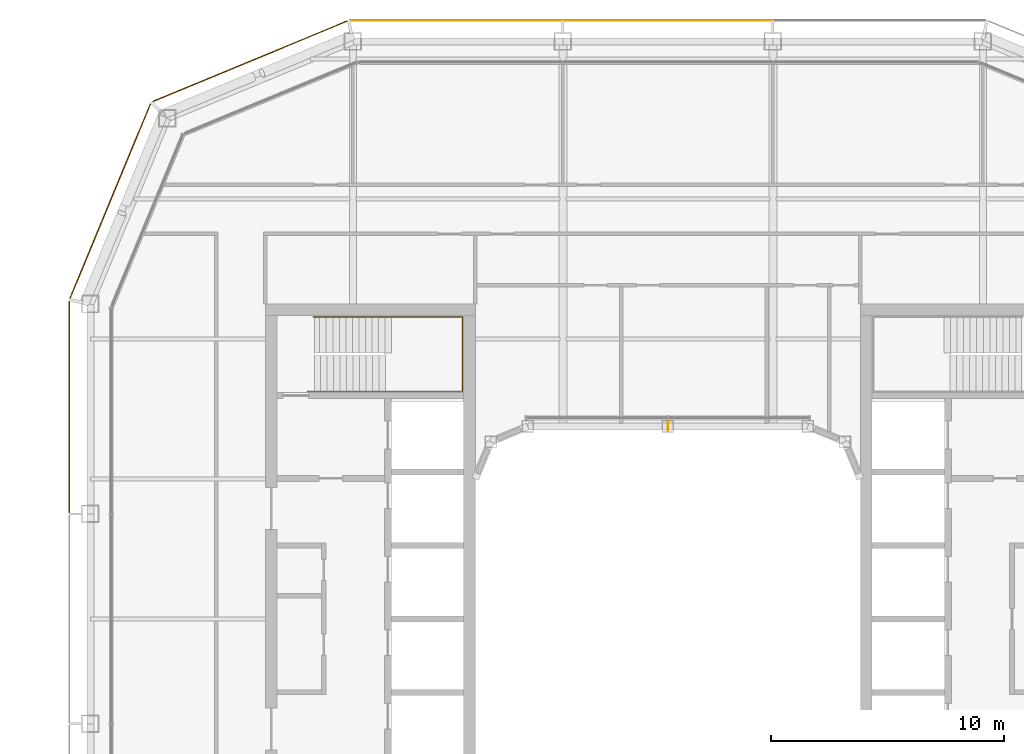
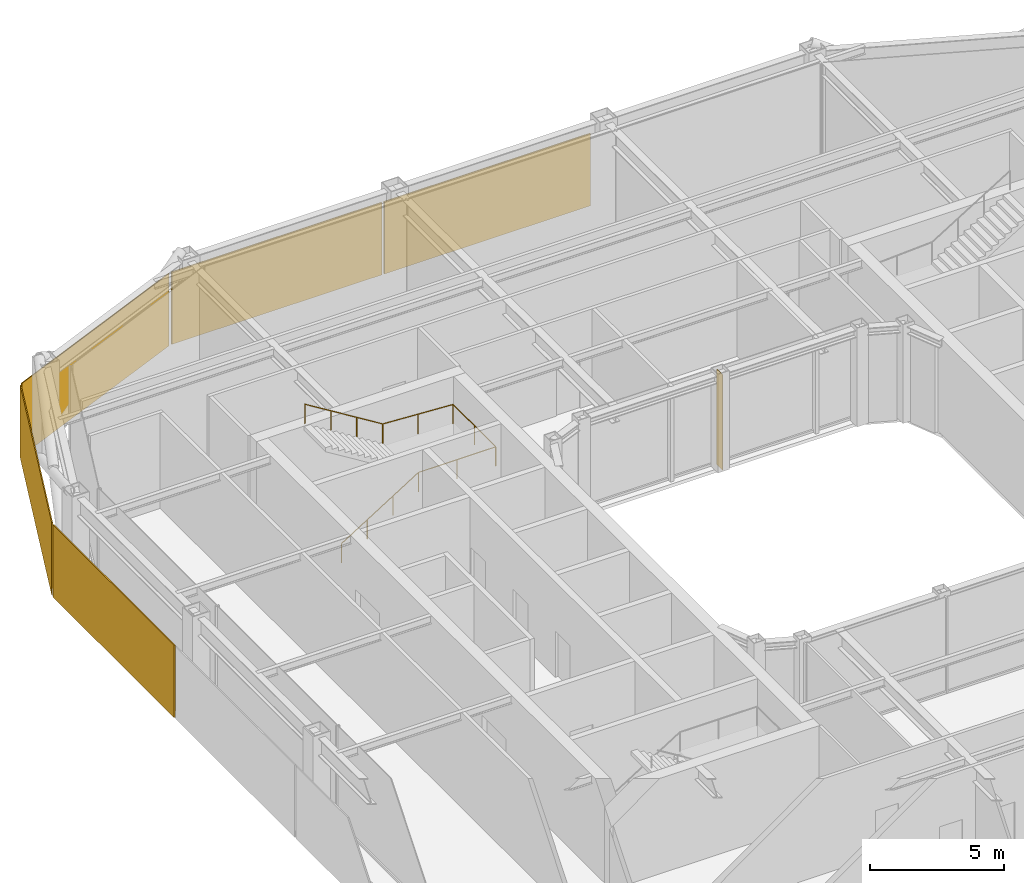
# One storey, part 18 of 20: 5 coverings, 1 railing, 1 shading device.
"""IFC4 building model written with IfcOpenShell, lengths in metres."""

from ifc_helpers import new_model, si_unit, direction, frame, origin, origin_2d, place, context, subcontext, project, spatial, rectangle, circle, extrude, material, layer, layer_set, type_object, element, save


model = new_model("IFC4")

# Units and contexts
model_context = context("Model", 3, precision=1e-05, world=origin(), true_north=direction((0.0, 1.0)))
body_context = subcontext(model_context, "Body", "Model", "MODEL_VIEW")
ifc_project = project(units=[si_unit("LENGTHUNIT", "METRE"), si_unit("AREAUNIT", "SQUARE_METRE"), si_unit("VOLUMEUNIT", "CUBIC_METRE"), si_unit("PLANEANGLEUNIT", "RADIAN"), si_unit("MASSUNIT", "GRAM", prefix="KILO")], contexts=[model_context])

# Site, building, storey
site_placement = place(None, origin())
site = spatial("IfcSite", under=ifc_project, at=site_placement, CompositionType="ELEMENT")
building_placement = place(site_placement, origin())
building = spatial("IfcBuilding", under=site, at=building_placement, Name="Siwar Civic Tower", CompositionType="ELEMENT")
storey_placement = place(building_placement, frame((0.0, 0.0, 298.699951171875)))
storey = spatial("IfcBuildingStorey", under=building, at=storey_placement, Name="L64", CompositionType="ELEMENT", Elevation=298.699951171875)

# Railing
ifc_material_1 = material(Name="Stainless steel", Category="steel")
railing_type = type_object("IfcRailingType", Name="CORE-STAIR-HANDRAIL", PredefinedType="HANDRAIL", material=ifc_material_1)
railing_placement = place(storey_placement, frame((-15.449951171875, 9.758056640625, 0.173095703125)))
element("IfcRailing", 1, at=railing_placement, inside=storey, type_object=railing_type, Name="Stair handrail ST1", PredefinedType="HANDRAIL", context=body_context, shape_type="SweptSolid", body=[
    extrude(circle(Radius=0.02001953125, at=origin_2d()), frame((0.0, 0.0, 0.8798828125), z_axis=(0.847063342986, 0.0, 0.531491950051), x_axis=(0.0, 1.0, 0.0)), (0.0, 0.0, 1.0), 3.90771484375),
    extrude(circle(Radius=0.02001953125, at=origin_2d()), frame((3.31005859375, 0.0, 2.956787109375), z_axis=(1.0, 0.0, 0.0), x_axis=(0.0, 1.0, 0.0)), (0.0, 0.0, 1.0), 3.331787109375),
    extrude(circle(Radius=0.02001953125, at=origin_2d()), frame((6.641845703125, 0.0, 2.956787109375), z_axis=(0.0, 1.0, 0.0), x_axis=(-1.0, 0.0, 0.0)), (0.0, 0.0, 1.0), 3.183837890625),
    extrude(circle(Radius=0.02001953125, at=origin_2d()), frame((6.641845703125, 3.183837890625, 2.956787109375), z_axis=(-0.99837434197, 0.0, 0.056997134106), x_axis=(0.0, -1.0, 0.0)), (0.0, 0.0, 1.0), 3.036865234375),
    extrude(circle(Radius=0.02001953125, at=origin_2d()), frame((3.60986328125, 3.183837890625, 3.1298828125), z_axis=(-0.850606129759, 0.0, 0.525803396734), x_axis=(0.0, -1.0, 0.0)), (0.0, 0.0, 1.0), 3.949951171875),
    extrude(circle(Radius=0.02001953125, at=origin_2d()), origin(), (0.0, 0.0, 1.0), 0.85986328125),
    extrude(circle(Radius=0.02001953125, at=origin_2d()), frame((1.103271484375, 0.0, 0.6923828125)), (0.0, 0.0, 1.0), 0.85986328125),
    extrude(circle(Radius=0.02001953125, at=origin_2d()), frame((2.206787109375, 0.0, 1.384521484375)), (0.0, 0.0, 1.0), 0.85986328125),
    extrude(circle(Radius=0.02001953125, at=origin_2d()), frame((3.31005859375, 0.0, 2.076904296875)), (0.0, 0.0, 1.0), 0.85986328125),
    extrude(circle(Radius=0.02001953125, at=origin_2d()), frame((4.97607421875, 0.0, 2.076904296875)), (0.0, 0.0, 1.0), 0.85986328125),
    extrude(circle(Radius=0.02001953125, at=origin_2d()), frame((6.641845703125, 0.0, 2.076904296875)), (0.0, 0.0, 1.0), 0.85986328125),
    extrude(circle(Radius=0.02001953125, at=origin_2d()), frame((6.641845703125, 1.591796875, 2.076904296875)), (0.0, 0.0, 1.0), 0.85986328125),
    extrude(circle(Radius=0.02001953125, at=origin_2d()), frame((6.641845703125, 3.183837890625, 2.076904296875)), (0.0, 0.0, 1.0), 0.85986328125),
    extrude(circle(Radius=0.02001953125, at=origin_2d()), frame((5.1259765625, 3.183837890625, 2.16357421875)), (0.0, 0.0, 1.0), 0.85986328125),
    extrude(circle(Radius=0.02001953125, at=origin_2d()), frame((3.60986328125, 3.183837890625, 2.25)), (0.0, 0.0, 1.0), 0.85986328125),
    extrude(circle(Radius=0.02001953125, at=origin_2d()), frame((2.489990234375, 3.183837890625, 2.9423828125)), (0.0, 0.0, 1.0), 0.85986328125),
    extrude(circle(Radius=0.02001953125, at=origin_2d()), frame((1.369873046875, 3.183837890625, 3.634521484375)), (0.0, 0.0, 1.0), 0.85986328125),
    extrude(circle(Radius=0.02001953125, at=origin_2d()), frame((0.25, 3.183837890625, 4.326904296875)), (0.0, 0.0, 1.0), 0.85986328125),
])

# Shading device
ifc_material_2 = material(Name="Aluminium 6063-T6", Category="aluminium")
ifc_layer_1 = layer(ifc_material_2, 0.02001953125)
ifc_layer_set_1 = layer_set([ifc_layer_1], Name="Aluminium 6063-T6")
shading_device_type = type_object("IfcShadingDeviceType", Name="ENV-FIN", PredefinedType="JALOUSIE", material=ifc_layer_set_1)
shading_device_placement = place(storey_placement, frame((0.0, 8.294921875, 0.0), z_axis=(0.0, 0.0, 1.0), x_axis=(-1.0, 0.0, 0.0)))
element("IfcShadingDevice", 2, at=shading_device_placement, inside=storey, type_object=shading_device_type, Name="SUNSHADE fin WN 1", PredefinedType="JALOUSIE", context=body_context, shape_type="SweptSolid", body=[
    extrude(rectangle(XDim=0.02001953125, YDim=0.449951171875, at=origin_2d()), origin(), (0.0, 0.0, 1.0), 4.35009765625),
])

# Coverings
ifc_material_3 = material(Name="Perforated aluminium cassette, pale metal", Category="aluminium")
ifc_layer_2 = layer(ifc_material_3, 0.0400390625)
ifc_layer_set_2 = layer_set([ifc_layer_2], Name="Perforated aluminium cassette, pale metal")
covering_type_1 = type_object("IfcCoveringType", Name="ENV-OUTER SKIN OS-1", PredefinedType="CLADDING", material=ifc_layer_set_2)
covering_1_placement = place(storey_placement, frame((0.0, 25.64990234375, -0.14990234375), z_axis=(0.0, 0.0, 1.0), x_axis=(-1.0, 0.0, 0.0)))
element("IfcCovering", 3, at=covering_1_placement, inside=storey, type_object=covering_type_1, Name="OUTER SKIN OS-1 N 2", PredefinedType="CLADDING", context=body_context, shape_type="SweptSolid", body=[
    extrude(rectangle(XDim=8.89990234375, YDim=0.0400390625, at=origin_2d()), origin(), (0.0, 0.0, 1.0), 3.300048828125),
])
covering_2_placement = place(storey_placement, frame((-9.07958984375, 25.64990234375, -0.14990234375), z_axis=(0.0, 0.0, 1.0), x_axis=(-1.0, 0.0, 0.0)))
element("IfcCovering", 4, at=covering_2_placement, inside=storey, type_object=covering_type_1, Name="OUTER SKIN OS-1 N 3", PredefinedType="CLADDING", context=body_context, shape_type="SweptSolid", body=[
    extrude(rectangle(XDim=9.05908203125, YDim=0.0400390625, at=origin_2d()), origin(), (0.0, 0.0, 1.0), 3.300048828125),
])
covering_3_placement = place(storey_placement, frame((-17.911376953125, 23.89697265625, -0.14990234375), z_axis=(0.0, 0.0, 1.0), x_axis=(-0.923879532511, -0.382683432365, 0.0)))
element("IfcCovering", 5, at=covering_3_placement, inside=storey, type_object=covering_type_1, Name="OUTER SKIN OS-1 NW1 1", PredefinedType="CLADDING", context=body_context, shape_type="SweptSolid", body=[
    extrude(rectangle(XDim=9.022216796875, YDim=0.0400390625, at=origin_2d()), origin(), (0.0, 0.0, 1.0), 3.300048828125),
])
ifc_material_4 = material(Name="Perforated aluminium cassette, pale metal", Category="aluminium")
ifc_layer_3 = layer(ifc_material_4, 0.044921875)
ifc_layer_set_3 = layer_set([ifc_layer_3], Name="Perforated aluminium cassette, pale metal")
covering_type_2 = type_object("IfcCoveringType", Name="ENV-OUTER SKIN OS-2", PredefinedType="CLADDING", material=ifc_layer_set_3)
covering_4_placement = place(storey_placement, frame((-23.89697265625, 17.911376953125, -0.14990234375), z_axis=(0.0, 0.0, 1.0), x_axis=(-0.382683432365, -0.923879532511, 0.0)))
element("IfcCovering", 6, at=covering_4_placement, inside=storey, type_object=covering_type_2, Name="OUTER SKIN OS-2 NW2 1", PredefinedType="CLADDING", context=body_context, shape_type="SweptSolid", body=[
    extrude(rectangle(XDim=9.022216796875, YDim=0.044921875, at=origin_2d()), origin(), (0.0, 0.0, 1.0), 3.300048828125),
])
ifc_material_5 = material(Name="Perforated aluminium cassette, pale metal", Category="aluminium")
ifc_layer_4 = layer(ifc_material_5, 0.050048828125)
ifc_layer_set_4 = layer_set([ifc_layer_4], Name="Perforated aluminium cassette, pale metal")
covering_type_3 = type_object("IfcCoveringType", Name="ENV-OUTER SKIN OS-3", PredefinedType="CLADDING", material=ifc_layer_set_4)
covering_5_placement = place(storey_placement, frame((-25.64990234375, 9.07958984375, -0.14990234375), z_axis=(0.0, 0.0, 1.0), x_axis=(0.0, -1.0, 0.0)))
element("IfcCovering", 7, at=covering_5_placement, inside=storey, type_object=covering_type_3, Name="OUTER SKIN OS-3 W 1", PredefinedType="CLADDING", context=body_context, shape_type="SweptSolid", body=[
    extrude(rectangle(XDim=9.05908203125, YDim=0.050048828125, at=origin_2d()), origin(), (0.0, 0.0, 1.0), 3.300048828125),
])

save(model, "model.ifc")
